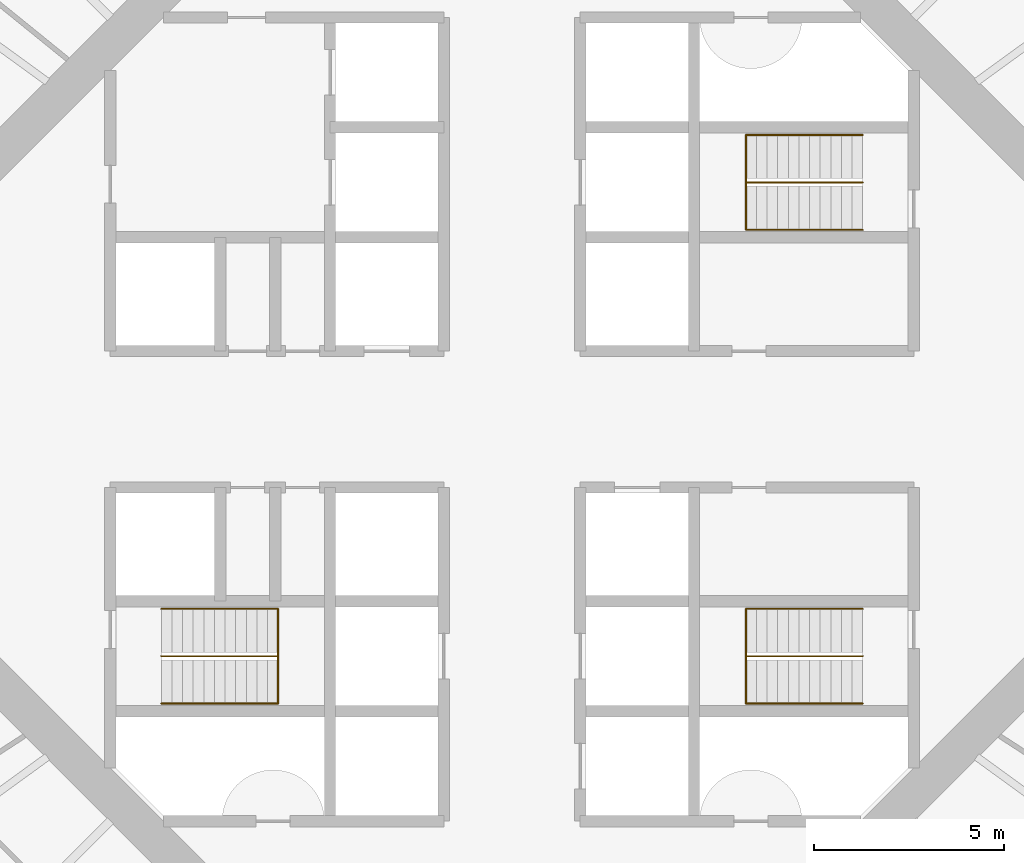
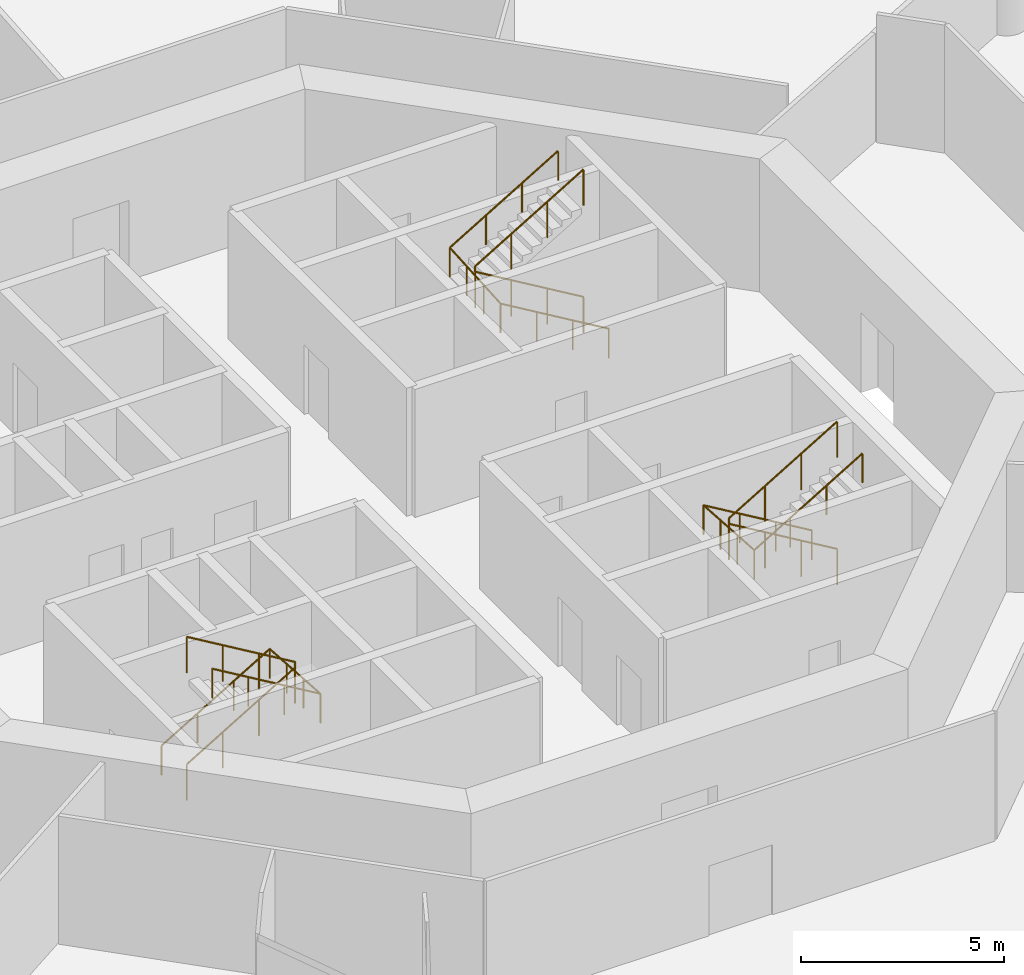
# One storey, part 13 of 13: 6 railings.
"""IFC4 building model written with IfcOpenShell, lengths in metres."""

from ifc_helpers import new_model, si_unit, direction, frame, origin, origin_2d, place, context, subcontext, project, spatial, circle, extrude, material, type_object, element, save


model = new_model("IFC4")

# Units and contexts
model_context = context("Model", 3, precision=1e-05, world=origin(), true_north=direction((0.0, 1.0)))
body_context = subcontext(model_context, "Body", "Model", "MODEL_VIEW")
ifc_project = project(units=[si_unit("LENGTHUNIT", "METRE"), si_unit("AREAUNIT", "SQUARE_METRE"), si_unit("VOLUMEUNIT", "CUBIC_METRE"), si_unit("PLANEANGLEUNIT", "RADIAN"), si_unit("MASSUNIT", "GRAM", prefix="KILO")], contexts=[model_context])

# Site, building, storey
site_placement = place(None, origin())
site = spatial("IfcSite", under=ifc_project, at=site_placement, CompositionType="ELEMENT")
building_placement = place(site_placement, origin())
building = spatial("IfcBuilding", under=site, at=building_placement, Name="Entoto Ring Tower", CompositionType="ELEMENT")
storey_placement = place(building_placement, frame((0.0, 0.0, 164.0)))
storey = spatial("IfcBuildingStorey", under=building, at=storey_placement, Name="L37", CompositionType="ELEMENT", Elevation=164.0)

# Railings
ifc_material_1 = material(Name="Steel S275", Category="steel")
railing_type_1 = type_object("IfcRailingType", Name="Stair guard 1100 mm steel", PredefinedType="GUARDRAIL", material=ifc_material_1)
railing_1_placement = place(storey_placement, frame((99.25, 86.25, 0.166748046875)))
element("IfcRailing", 1, at=railing_1_placement, inside=storey, type_object=railing_type_1, Name="Guard ST1", PredefinedType="GUARDRAIL", context=body_context, shape_type="SweptSolid", body=[
    extrude(circle(Radius=0.02392578125, at=origin_2d()), frame((0.0, 0.0, 1.076171875), z_axis=(-0.859308565015, 0.0, 0.511457515432), x_axis=(0.0, -1.0, 0.0)), (0.0, 0.0, 1.0), 3.58447265625),
    extrude(circle(Radius=0.02392578125, at=origin_2d()), frame((-3.080078125, 0.0, 2.9091796875), z_axis=(0.0, 0.0, 1.0), x_axis=(1.0, 0.0, 0.0)), (0.0, 0.0, 1.0), 0.166748046875),
    extrude(circle(Radius=0.02392578125, at=origin_2d()), frame((-3.080078125, 0.0, 3.076171875), z_axis=(0.859308565015, 0.0, 0.511457515432), x_axis=(0.0, 1.0, 0.0)), (0.0, 0.0, 1.0), 3.58447265625),
    extrude(circle(Radius=0.02099609375, at=origin_2d()), origin(), (0.0, 0.0, 1.0), 1.052001953125),
    extrude(circle(Radius=0.02099609375, at=origin_2d()), frame((-1.026611328125, 0.0, 0.611083984375)), (0.0, 0.0, 1.0), 1.052001953125),
    extrude(circle(Radius=0.02099609375, at=origin_2d()), frame((-2.053466796875, 0.0, 1.22216796875)), (0.0, 0.0, 1.0), 1.052001953125),
    extrude(circle(Radius=0.02099609375, at=origin_2d()), frame((-3.080078125, 0.0, 1.833251953125)), (0.0, 0.0, 1.0), 1.052001953125),
    extrude(circle(Radius=0.02099609375, at=origin_2d()), frame((-3.080078125, 0.0, 2.0)), (0.0, 0.0, 1.0), 1.052001953125),
    extrude(circle(Radius=0.02099609375, at=origin_2d()), frame((-2.053466796875, 0.0, 2.611083984375)), (0.0, 0.0, 1.0), 1.052001953125),
    extrude(circle(Radius=0.02099609375, at=origin_2d()), frame((-1.026611328125, 0.0, 3.22216796875)), (0.0, 0.0, 1.0), 1.052001953125),
    extrude(circle(Radius=0.02099609375, at=origin_2d()), frame((0.0, 0.0, 3.833251953125)), (0.0, 0.0, 1.0), 1.052001953125),
])
railing_2_placement = place(storey_placement, frame((80.75, 73.75, 0.166748046875)))
element("IfcRailing", 2, at=railing_2_placement, inside=storey, type_object=railing_type_1, Name="Guard ST2", PredefinedType="GUARDRAIL", context=body_context, shape_type="SweptSolid", body=[
    extrude(circle(Radius=0.02392578125, at=origin_2d()), frame((0.0, 0.0, 1.076171875), z_axis=(0.859308565015, 0.0, 0.511457515432), x_axis=(0.0, 1.0, 0.0)), (0.0, 0.0, 1.0), 3.58447265625),
    extrude(circle(Radius=0.02392578125, at=origin_2d()), frame((3.080078125, 0.0, 2.9091796875), z_axis=(0.0, 0.0, 1.0), x_axis=(1.0, 0.0, 0.0)), (0.0, 0.0, 1.0), 0.166748046875),
    extrude(circle(Radius=0.02392578125, at=origin_2d()), frame((3.080078125, 0.0, 3.076171875), z_axis=(-0.859308565015, 0.0, 0.511457515432), x_axis=(0.0, -1.0, 0.0)), (0.0, 0.0, 1.0), 3.58447265625),
    extrude(circle(Radius=0.02099609375, at=origin_2d()), origin(), (0.0, 0.0, 1.0), 1.052001953125),
    extrude(circle(Radius=0.02099609375, at=origin_2d()), frame((1.026611328125, 0.0, 0.611083984375)), (0.0, 0.0, 1.0), 1.052001953125),
    extrude(circle(Radius=0.02099609375, at=origin_2d()), frame((2.053466796875, 0.0, 1.22216796875)), (0.0, 0.0, 1.0), 1.052001953125),
    extrude(circle(Radius=0.02099609375, at=origin_2d()), frame((3.080078125, 0.0, 1.833251953125)), (0.0, 0.0, 1.0), 1.052001953125),
    extrude(circle(Radius=0.02099609375, at=origin_2d()), frame((3.080078125, 0.0, 2.0)), (0.0, 0.0, 1.0), 1.052001953125),
    extrude(circle(Radius=0.02099609375, at=origin_2d()), frame((2.053466796875, 0.0, 2.611083984375)), (0.0, 0.0, 1.0), 1.052001953125),
    extrude(circle(Radius=0.02099609375, at=origin_2d()), frame((1.026611328125, 0.0, 3.22216796875)), (0.0, 0.0, 1.0), 1.052001953125),
    extrude(circle(Radius=0.02099609375, at=origin_2d()), frame((0.0, 0.0, 3.833251953125)), (0.0, 0.0, 1.0), 1.052001953125),
])
railing_3_placement = place(storey_placement, frame((99.25, 73.75, 0.166748046875)))
element("IfcRailing", 3, at=railing_3_placement, inside=storey, type_object=railing_type_1, Name="Guard ST3", PredefinedType="GUARDRAIL", context=body_context, shape_type="SweptSolid", body=[
    extrude(circle(Radius=0.02392578125, at=origin_2d()), frame((0.0, 0.0, 1.076171875), z_axis=(-0.859308565015, 0.0, 0.511457515432), x_axis=(0.0, -1.0, 0.0)), (0.0, 0.0, 1.0), 3.58447265625),
    extrude(circle(Radius=0.02392578125, at=origin_2d()), frame((-3.080078125, 0.0, 2.9091796875), z_axis=(0.0, 0.0, 1.0), x_axis=(1.0, 0.0, 0.0)), (0.0, 0.0, 1.0), 0.166748046875),
    extrude(circle(Radius=0.02392578125, at=origin_2d()), frame((-3.080078125, 0.0, 3.076171875), z_axis=(0.859308565015, 0.0, 0.511457515432), x_axis=(0.0, 1.0, 0.0)), (0.0, 0.0, 1.0), 3.58447265625),
    extrude(circle(Radius=0.02099609375, at=origin_2d()), origin(), (0.0, 0.0, 1.0), 1.052001953125),
    extrude(circle(Radius=0.02099609375, at=origin_2d()), frame((-1.026611328125, 0.0, 0.611083984375)), (0.0, 0.0, 1.0), 1.052001953125),
    extrude(circle(Radius=0.02099609375, at=origin_2d()), frame((-2.053466796875, 0.0, 1.22216796875)), (0.0, 0.0, 1.0), 1.052001953125),
    extrude(circle(Radius=0.02099609375, at=origin_2d()), frame((-3.080078125, 0.0, 1.833251953125)), (0.0, 0.0, 1.0), 1.052001953125),
    extrude(circle(Radius=0.02099609375, at=origin_2d()), frame((-3.080078125, 0.0, 2.0)), (0.0, 0.0, 1.0), 1.052001953125),
    extrude(circle(Radius=0.02099609375, at=origin_2d()), frame((-2.053466796875, 0.0, 2.611083984375)), (0.0, 0.0, 1.0), 1.052001953125),
    extrude(circle(Radius=0.02099609375, at=origin_2d()), frame((-1.026611328125, 0.0, 3.22216796875)), (0.0, 0.0, 1.0), 1.052001953125),
    extrude(circle(Radius=0.02099609375, at=origin_2d()), frame((0.0, 0.0, 3.833251953125)), (0.0, 0.0, 1.0), 1.052001953125),
])
ifc_material_2 = material(Name="Steel S275", Category="steel")
railing_type_2 = type_object("IfcRailingType", Name="Stair handrail 900 mm steel", PredefinedType="HANDRAIL", material=ifc_material_2)
railing_4_placement = place(storey_placement, frame((99.25, 85.0, 0.166748046875)))
element("IfcRailing", 4, at=railing_4_placement, inside=storey, type_object=railing_type_2, Name="Handrail ST1", PredefinedType="HANDRAIL", context=body_context, shape_type="SweptSolid", body=[
    extrude(circle(Radius=0.02392578125, at=origin_2d()), frame((0.0, 0.0, 0.8759765625), z_axis=(-0.859308565015, 0.0, 0.511457515432), x_axis=(0.0, -1.0, 0.0)), (0.0, 0.0, 1.0), 3.58447265625),
    extrude(circle(Radius=0.02392578125, at=origin_2d()), frame((-3.080078125, 0.0, 2.708984375), z_axis=(0.0, 0.997783001586, 0.066551346688), x_axis=(-1.0, 0.0, 0.0)), (0.0, 0.0, 1.0), 2.505615234375),
    extrude(circle(Radius=0.02392578125, at=origin_2d()), frame((-3.080078125, 2.5, 2.8759765625), z_axis=(0.859308565015, 0.0, 0.511457515432), x_axis=(0.0, 1.0, 0.0)), (0.0, 0.0, 1.0), 3.58447265625),
    extrude(circle(Radius=0.02099609375, at=origin_2d()), origin(), (0.0, 0.0, 1.0), 0.851806640625),
    extrude(circle(Radius=0.02099609375, at=origin_2d()), frame((-1.026611328125, 0.0, 0.611083984375)), (0.0, 0.0, 1.0), 0.851806640625),
    extrude(circle(Radius=0.02099609375, at=origin_2d()), frame((-2.053466796875, 0.0, 1.22216796875)), (0.0, 0.0, 1.0), 0.851806640625),
    extrude(circle(Radius=0.02099609375, at=origin_2d()), frame((-3.080078125, 0.0, 1.833251953125)), (0.0, 0.0, 1.0), 0.851806640625),
    extrude(circle(Radius=0.02099609375, at=origin_2d()), frame((-3.080078125, 0.833251953125, 1.888916015625)), (0.0, 0.0, 1.0), 0.851806640625),
    extrude(circle(Radius=0.02099609375, at=origin_2d()), frame((-3.080078125, 1.666748046875, 1.9443359375)), (0.0, 0.0, 1.0), 0.851806640625),
    extrude(circle(Radius=0.02099609375, at=origin_2d()), frame((-3.080078125, 2.5, 2.0)), (0.0, 0.0, 1.0), 0.851806640625),
    extrude(circle(Radius=0.02099609375, at=origin_2d()), frame((-2.053466796875, 2.5, 2.611083984375)), (0.0, 0.0, 1.0), 0.851806640625),
    extrude(circle(Radius=0.02099609375, at=origin_2d()), frame((-1.026611328125, 2.5, 3.22216796875)), (0.0, 0.0, 1.0), 0.851806640625),
    extrude(circle(Radius=0.02099609375, at=origin_2d()), frame((0.0, 2.5, 3.833251953125)), (0.0, 0.0, 1.0), 0.851806640625),
])
railing_5_placement = place(storey_placement, frame((80.75, 75.0, 0.166748046875)))
element("IfcRailing", 5, at=railing_5_placement, inside=storey, type_object=railing_type_2, Name="Handrail ST2", PredefinedType="HANDRAIL", context=body_context, shape_type="SweptSolid", body=[
    extrude(circle(Radius=0.02392578125, at=origin_2d()), frame((0.0, 0.0, 0.8759765625), z_axis=(0.859308565015, 0.0, 0.511457515432), x_axis=(0.0, 1.0, 0.0)), (0.0, 0.0, 1.0), 3.58447265625),
    extrude(circle(Radius=0.02392578125, at=origin_2d()), frame((3.080078125, 0.0, 2.708984375), z_axis=(0.0, -0.997783001586, 0.066551346688), x_axis=(1.0, 0.0, 0.0)), (0.0, 0.0, 1.0), 2.505615234375),
    extrude(circle(Radius=0.02392578125, at=origin_2d()), frame((3.080078125, -2.5, 2.8759765625), z_axis=(-0.859308565015, 0.0, 0.511457515432), x_axis=(0.0, -1.0, 0.0)), (0.0, 0.0, 1.0), 3.58447265625),
    extrude(circle(Radius=0.02099609375, at=origin_2d()), origin(), (0.0, 0.0, 1.0), 0.851806640625),
    extrude(circle(Radius=0.02099609375, at=origin_2d()), frame((1.026611328125, 0.0, 0.611083984375)), (0.0, 0.0, 1.0), 0.851806640625),
    extrude(circle(Radius=0.02099609375, at=origin_2d()), frame((2.053466796875, 0.0, 1.22216796875)), (0.0, 0.0, 1.0), 0.851806640625),
    extrude(circle(Radius=0.02099609375, at=origin_2d()), frame((3.080078125, 0.0, 1.833251953125)), (0.0, 0.0, 1.0), 0.851806640625),
    extrude(circle(Radius=0.02099609375, at=origin_2d()), frame((3.080078125, -0.833251953125, 1.888916015625)), (0.0, 0.0, 1.0), 0.851806640625),
    extrude(circle(Radius=0.02099609375, at=origin_2d()), frame((3.080078125, -1.666748046875, 1.9443359375)), (0.0, 0.0, 1.0), 0.851806640625),
    extrude(circle(Radius=0.02099609375, at=origin_2d()), frame((3.080078125, -2.5, 2.0)), (0.0, 0.0, 1.0), 0.851806640625),
    extrude(circle(Radius=0.02099609375, at=origin_2d()), frame((2.053466796875, -2.5, 2.611083984375)), (0.0, 0.0, 1.0), 0.851806640625),
    extrude(circle(Radius=0.02099609375, at=origin_2d()), frame((1.026611328125, -2.5, 3.22216796875)), (0.0, 0.0, 1.0), 0.851806640625),
    extrude(circle(Radius=0.02099609375, at=origin_2d()), frame((0.0, -2.5, 3.833251953125)), (0.0, 0.0, 1.0), 0.851806640625),
])
railing_6_placement = place(storey_placement, frame((99.25, 75.0, 0.166748046875)))
element("IfcRailing", 6, at=railing_6_placement, inside=storey, type_object=railing_type_2, Name="Handrail ST3", PredefinedType="HANDRAIL", context=body_context, shape_type="SweptSolid", body=[
    extrude(circle(Radius=0.02392578125, at=origin_2d()), frame((0.0, 0.0, 0.8759765625), z_axis=(-0.859308565015, 0.0, 0.511457515432), x_axis=(0.0, -1.0, 0.0)), (0.0, 0.0, 1.0), 3.58447265625),
    extrude(circle(Radius=0.02392578125, at=origin_2d()), frame((-3.080078125, 0.0, 2.708984375), z_axis=(0.0, -0.997783001586, 0.066551346688), x_axis=(1.0, 0.0, 0.0)), (0.0, 0.0, 1.0), 2.505615234375),
    extrude(circle(Radius=0.02392578125, at=origin_2d()), frame((-3.080078125, -2.5, 2.8759765625), z_axis=(0.859308565015, 0.0, 0.511457515432), x_axis=(0.0, 1.0, 0.0)), (0.0, 0.0, 1.0), 3.58447265625),
    extrude(circle(Radius=0.02099609375, at=origin_2d()), origin(), (0.0, 0.0, 1.0), 0.851806640625),
    extrude(circle(Radius=0.02099609375, at=origin_2d()), frame((-1.026611328125, 0.0, 0.611083984375)), (0.0, 0.0, 1.0), 0.851806640625),
    extrude(circle(Radius=0.02099609375, at=origin_2d()), frame((-2.053466796875, 0.0, 1.22216796875)), (0.0, 0.0, 1.0), 0.851806640625),
    extrude(circle(Radius=0.02099609375, at=origin_2d()), frame((-3.080078125, 0.0, 1.833251953125)), (0.0, 0.0, 1.0), 0.851806640625),
    extrude(circle(Radius=0.02099609375, at=origin_2d()), frame((-3.080078125, -0.833251953125, 1.888916015625)), (0.0, 0.0, 1.0), 0.851806640625),
    extrude(circle(Radius=0.02099609375, at=origin_2d()), frame((-3.080078125, -1.666748046875, 1.9443359375)), (0.0, 0.0, 1.0), 0.851806640625),
    extrude(circle(Radius=0.02099609375, at=origin_2d()), frame((-3.080078125, -2.5, 2.0)), (0.0, 0.0, 1.0), 0.851806640625),
    extrude(circle(Radius=0.02099609375, at=origin_2d()), frame((-2.053466796875, -2.5, 2.611083984375)), (0.0, 0.0, 1.0), 0.851806640625),
    extrude(circle(Radius=0.02099609375, at=origin_2d()), frame((-1.026611328125, -2.5, 3.22216796875)), (0.0, 0.0, 1.0), 0.851806640625),
    extrude(circle(Radius=0.02099609375, at=origin_2d()), frame((0.0, -2.5, 3.833251953125)), (0.0, 0.0, 1.0), 0.851806640625),
])

save(model, "model.ifc")
